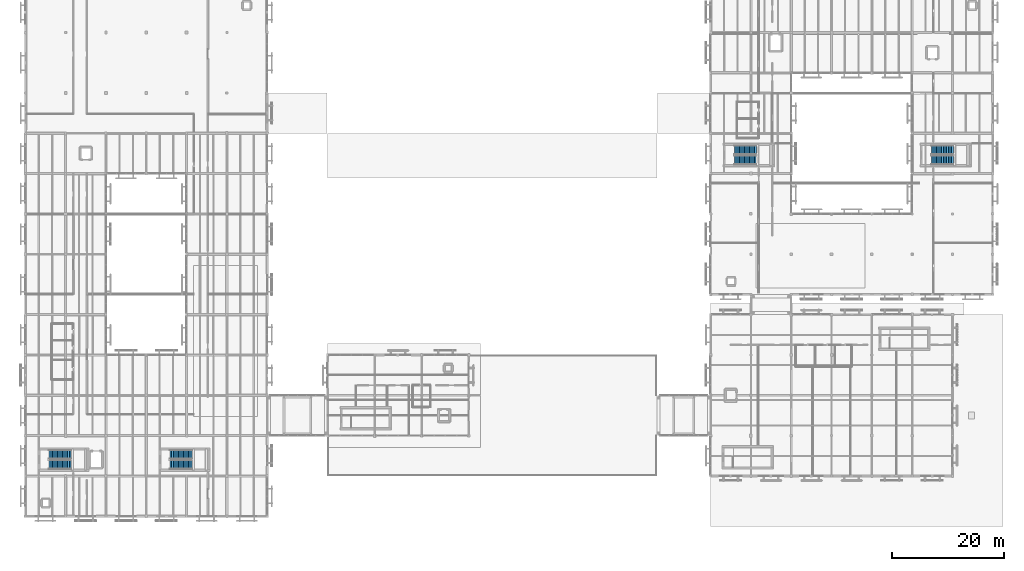
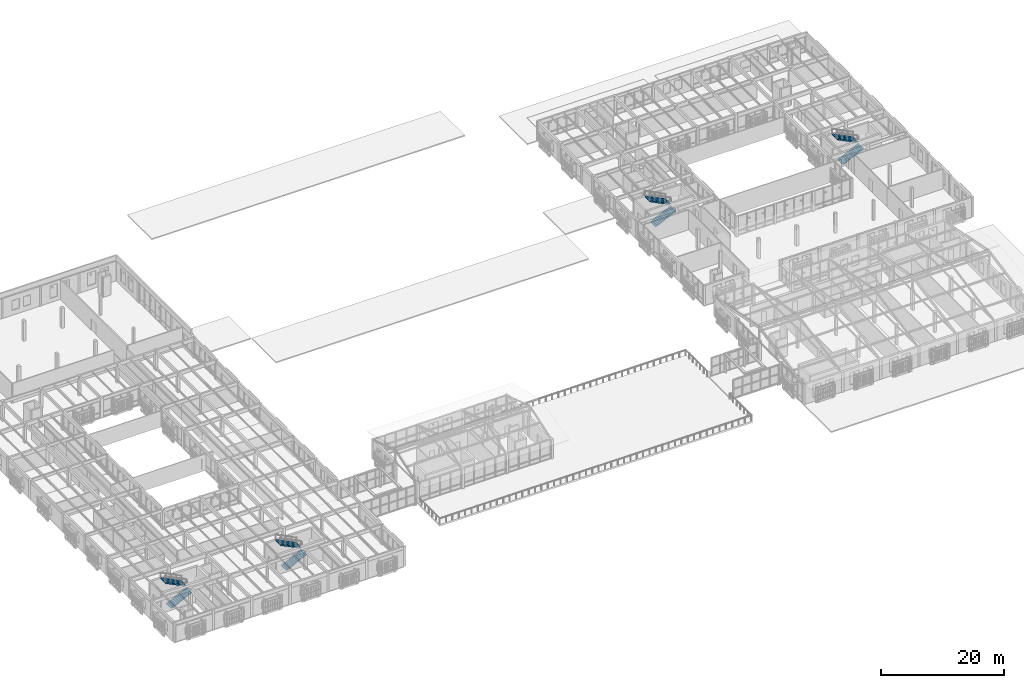
# One storey, part 91 of 112: 8 stair flights, 4 elements without a shape of their own.
"""IFC4 building model written with IfcOpenShell, lengths in metres."""

from ifc_helpers import new_model, si_unit, direction, frame, origin, place, context, subcontext, project, spatial, polyline, outline, extrude, material, type_object, element, aggregate, save


model = new_model("IFC4")

# Units and contexts
model_context = context("Model", 3, precision=1e-05, world=origin(), true_north=direction((0.0, 1.0)))
body_context = subcontext(model_context, "Body", "Model", "MODEL_VIEW")
ifc_project = project(units=[si_unit("LENGTHUNIT", "METRE"), si_unit("AREAUNIT", "SQUARE_METRE"), si_unit("VOLUMEUNIT", "CUBIC_METRE"), si_unit("PLANEANGLEUNIT", "RADIAN"), si_unit("MASSUNIT", "GRAM", prefix="KILO")], contexts=[model_context])

# Site, building, storey
site_placement = place(None, origin())
site = spatial("IfcSite", under=ifc_project, at=site_placement, CompositionType="ELEMENT")
building_placement = place(site_placement, origin())
building = spatial("IfcBuilding", under=site, at=building_placement, Name="Mazaris Harbour Polytechnic", CompositionType="ELEMENT")
storey_placement = place(building_placement, frame((0.0, 0.0, 13.800048828125)))
storey = spatial("IfcBuildingStorey", under=building, at=storey_placement, Name="L03", CompositionType="ELEMENT", Elevation=13.800048828125)

# Stair, stair flights
ifc_material_1 = material(Name="Concrete C40/50", Category="concrete")
stair_type = type_object("IfcStairType", Name="Core Exit Stair H4200", PredefinedType="HALF_TURN_STAIR", material=ifc_material_1)
stair_1_placement = place(storey_placement, origin())
stair_1 = element("IfcStair", 1, at=stair_1_placement, inside=storey, type_object=stair_type, Name="L03 ST07", PredefinedType="HALF_TURN_STAIR")
ifc_material_2 = material(Name="Concrete C40/50", Category="concrete")
stair_flight_type = type_object("IfcStairFlightType", Name="RC Stair Flight W1650", PredefinedType="STRAIGHT", material=ifc_material_2)
stair_flight_1_placement = place(storey_placement, frame((4.25, 16.425048828125, 0.0), z_axis=(0.0, 0.0, 1.0), x_axis=(1.0, 0.0, 0.0)))
stair_flight_1 = element("IfcStairFlight", 2, at=stair_flight_1_placement, type_object=stair_flight_type, Name="ST07 flight 1", NumberOfRisers=14, NumberOfTreads=13, PredefinedType="STRAIGHT", RiserHeight=0.15, TreadLength=0.3, context=body_context, shape_type="SweptSolid", body=[
    extrude(outline(polyline([(0.0, 0.0), (0.0, 0.14990234375), (0.300048828125, 0.14990234375), (0.300048828125, 0.300048828125), (0.60009765625, 0.300048828125), (0.60009765625, 0.449951171875), (0.89990234375, 0.449951171875), (0.89990234375, 0.60009765625), (1.199951171875, 0.60009765625), (1.199951171875, 0.75), (1.5, 0.75), (1.5, 0.89990234375), (1.800048828125, 0.89990234375), (1.800048828125, 1.050048828125), (2.10009765625, 1.050048828125), (2.10009765625, 1.199951171875), (2.39990234375, 1.199951171875), (2.39990234375, 1.35009765625), (2.699951171875, 1.35009765625), (2.699951171875, 1.5), (3.0, 1.5), (3.0, 1.64990234375), (3.300048828125, 1.64990234375), (3.300048828125, 1.800048828125), (3.60009765625, 1.800048828125), (3.60009765625, 1.949951171875), (3.89990234375, 1.949951171875), (3.89990234375, 2.10009765625), (3.89990234375, 1.748779296875), (0.40234375, 0.0), (0.0, 0.0)])), frame((0.0, 0.824951171875, 0.0), z_axis=(0.0, -1.0, 0.0), x_axis=(1.0, 0.0, 0.0)), (0.0, 0.0, 1.0), 1.64990234375),
])
stair_flight_2_placement = place(storey_placement, frame((8.14990234375, 18.22509765625, 2.099853515625), z_axis=(0.0, 0.0, 1.0), x_axis=(-1.0, 0.0, 0.0)))
stair_flight_2 = element("IfcStairFlight", 3, at=stair_flight_2_placement, type_object=stair_flight_type, Name="ST07 flight 2", NumberOfRisers=14, NumberOfTreads=13, PredefinedType="STRAIGHT", RiserHeight=0.15, TreadLength=0.3, context=body_context, shape_type="SweptSolid", body=[
    extrude(outline(polyline([(0.0, 0.0), (0.0, 0.14990234375), (0.300048828125, 0.14990234375), (0.300048828125, 0.300048828125), (0.60009765625, 0.300048828125), (0.60009765625, 0.449951171875), (0.89990234375, 0.449951171875), (0.89990234375, 0.60009765625), (1.199951171875, 0.60009765625), (1.199951171875, 0.75), (1.5, 0.75), (1.5, 0.89990234375), (1.800048828125, 0.89990234375), (1.800048828125, 1.050048828125), (2.10009765625, 1.050048828125), (2.10009765625, 1.199951171875), (2.39990234375, 1.199951171875), (2.39990234375, 1.35009765625), (2.699951171875, 1.35009765625), (2.699951171875, 1.5), (3.0, 1.5), (3.0, 1.64990234375), (3.300048828125, 1.64990234375), (3.300048828125, 1.800048828125), (3.60009765625, 1.800048828125), (3.60009765625, 1.949951171875), (3.89990234375, 1.949951171875), (3.89990234375, 2.10009765625), (3.89990234375, 1.748779296875), (0.40234375, 0.0), (0.0, 0.0)])), frame((0.0, 0.824951171875, 0.0), z_axis=(0.0, -1.0, 0.0), x_axis=(1.0, 0.0, 0.0)), (0.0, 0.0, 1.0), 1.64990234375),
])
aggregate(stair_1, [stair_flight_1, stair_flight_2])

stair_2_placement = place(storey_placement, origin())
stair_2 = element("IfcStair", 4, at=stair_2_placement, inside=storey, type_object=stair_type, Name="L03 ST08", PredefinedType="HALF_TURN_STAIR")
stair_flight_3_placement = place(storey_placement, frame((25.85009765625, 16.425048828125, 0.0), z_axis=(0.0, 0.0, 1.0), x_axis=(1.0, 0.0, 0.0)))
stair_flight_3 = element("IfcStairFlight", 5, at=stair_flight_3_placement, type_object=stair_flight_type, Name="ST08 flight 1", NumberOfRisers=14, NumberOfTreads=13, PredefinedType="STRAIGHT", RiserHeight=0.15, TreadLength=0.3, context=body_context, shape_type="SweptSolid", body=[
    extrude(outline(polyline([(0.0, 0.0), (0.0, 0.14990234375), (0.300048828125, 0.14990234375), (0.300048828125, 0.300048828125), (0.60009765625, 0.300048828125), (0.60009765625, 0.449951171875), (0.89990234375, 0.449951171875), (0.89990234375, 0.60009765625), (1.199951171875, 0.60009765625), (1.199951171875, 0.75), (1.5, 0.75), (1.5, 0.89990234375), (1.800048828125, 0.89990234375), (1.800048828125, 1.050048828125), (2.10009765625, 1.050048828125), (2.10009765625, 1.199951171875), (2.39990234375, 1.199951171875), (2.39990234375, 1.35009765625), (2.699951171875, 1.35009765625), (2.699951171875, 1.5), (3.0, 1.5), (3.0, 1.64990234375), (3.300048828125, 1.64990234375), (3.300048828125, 1.800048828125), (3.60009765625, 1.800048828125), (3.60009765625, 1.949951171875), (3.89990234375, 1.949951171875), (3.89990234375, 2.10009765625), (3.89990234375, 1.748779296875), (0.40234375, 0.0), (0.0, 0.0)])), frame((0.0, 0.824951171875, 0.0), z_axis=(0.0, -1.0, 0.0), x_axis=(1.0, 0.0, 0.0)), (0.0, 0.0, 1.0), 1.64990234375),
])
stair_flight_4_placement = place(storey_placement, frame((29.75, 18.22509765625, 2.099853515625), z_axis=(0.0, 0.0, 1.0), x_axis=(-1.0, 0.0, 0.0)))
stair_flight_4 = element("IfcStairFlight", 6, at=stair_flight_4_placement, type_object=stair_flight_type, Name="ST08 flight 2", NumberOfRisers=14, NumberOfTreads=13, PredefinedType="STRAIGHT", RiserHeight=0.15, TreadLength=0.3, context=body_context, shape_type="SweptSolid", body=[
    extrude(outline(polyline([(0.0, 0.0), (0.0, 0.14990234375), (0.300048828125, 0.14990234375), (0.300048828125, 0.300048828125), (0.60009765625, 0.300048828125), (0.60009765625, 0.449951171875), (0.89990234375, 0.449951171875), (0.89990234375, 0.60009765625), (1.199951171875, 0.60009765625), (1.199951171875, 0.75), (1.5, 0.75), (1.5, 0.89990234375), (1.800048828125, 0.89990234375), (1.800048828125, 1.050048828125), (2.10009765625, 1.050048828125), (2.10009765625, 1.199951171875), (2.39990234375, 1.199951171875), (2.39990234375, 1.35009765625), (2.699951171875, 1.35009765625), (2.699951171875, 1.5), (3.0, 1.5), (3.0, 1.64990234375), (3.300048828125, 1.64990234375), (3.300048828125, 1.800048828125), (3.60009765625, 1.800048828125), (3.60009765625, 1.949951171875), (3.89990234375, 1.949951171875), (3.89990234375, 2.10009765625), (3.89990234375, 1.748779296875), (0.40234375, 0.0), (0.0, 0.0)])), frame((0.0, 0.824951171875, 0.0), z_axis=(0.0, -1.0, 0.0), x_axis=(1.0, 0.0, 0.0)), (0.0, 0.0, 1.0), 1.64990234375),
])
aggregate(stair_2, [stair_flight_3, stair_flight_4])

stair_3_placement = place(storey_placement, origin())
stair_3 = element("IfcStair", 7, at=stair_3_placement, inside=storey, type_object=stair_type, Name="L03 ST09", PredefinedType="HALF_TURN_STAIR")
stair_flight_5_placement = place(storey_placement, frame((126.64990234375, 70.824951171875, 0.0), z_axis=(0.0, 0.0, 1.0), x_axis=(1.0, 0.0, 0.0)))
stair_flight_5 = element("IfcStairFlight", 8, at=stair_flight_5_placement, type_object=stair_flight_type, Name="ST09 flight 1", NumberOfRisers=14, NumberOfTreads=13, PredefinedType="STRAIGHT", RiserHeight=0.15, TreadLength=0.3, context=body_context, shape_type="SweptSolid", body=[
    extrude(outline(polyline([(0.0, 0.0), (0.0, 0.14990234375), (0.300048828125, 0.14990234375), (0.300048828125, 0.300048828125), (0.60009765625, 0.300048828125), (0.60009765625, 0.449951171875), (0.89990234375, 0.449951171875), (0.89990234375, 0.60009765625), (1.199951171875, 0.60009765625), (1.199951171875, 0.75), (1.5, 0.75), (1.5, 0.89990234375), (1.800048828125, 0.89990234375), (1.800048828125, 1.050048828125), (2.10009765625, 1.050048828125), (2.10009765625, 1.199951171875), (2.39990234375, 1.199951171875), (2.39990234375, 1.35009765625), (2.699951171875, 1.35009765625), (2.699951171875, 1.5), (3.0, 1.5), (3.0, 1.64990234375), (3.300048828125, 1.64990234375), (3.300048828125, 1.800048828125), (3.60009765625, 1.800048828125), (3.60009765625, 1.949951171875), (3.89990234375, 1.949951171875), (3.89990234375, 2.10009765625), (3.89990234375, 1.748779296875), (0.40234375, 0.0), (0.0, 0.0)])), frame((0.0, 0.824951171875, 0.0), z_axis=(0.0, -1.0, 0.0), x_axis=(1.0, 0.0, 0.0)), (0.0, 0.0, 1.0), 1.64990234375),
])
stair_flight_6_placement = place(storey_placement, frame((130.550048828125, 72.625, 2.099853515625), z_axis=(0.0, 0.0, 1.0), x_axis=(-1.0, 0.0, 0.0)))
stair_flight_6 = element("IfcStairFlight", 9, at=stair_flight_6_placement, type_object=stair_flight_type, Name="ST09 flight 2", NumberOfRisers=14, NumberOfTreads=13, PredefinedType="STRAIGHT", RiserHeight=0.15, TreadLength=0.3, context=body_context, shape_type="SweptSolid", body=[
    extrude(outline(polyline([(0.0, 0.0), (0.0, 0.14990234375), (0.300048828125, 0.14990234375), (0.300048828125, 0.300048828125), (0.60009765625, 0.300048828125), (0.60009765625, 0.449951171875), (0.89990234375, 0.449951171875), (0.89990234375, 0.60009765625), (1.199951171875, 0.60009765625), (1.199951171875, 0.75), (1.5, 0.75), (1.5, 0.89990234375), (1.800048828125, 0.89990234375), (1.800048828125, 1.050048828125), (2.10009765625, 1.050048828125), (2.10009765625, 1.199951171875), (2.39990234375, 1.199951171875), (2.39990234375, 1.35009765625), (2.699951171875, 1.35009765625), (2.699951171875, 1.5), (3.0, 1.5), (3.0, 1.64990234375), (3.300048828125, 1.64990234375), (3.300048828125, 1.800048828125), (3.60009765625, 1.800048828125), (3.60009765625, 1.949951171875), (3.89990234375, 1.949951171875), (3.89990234375, 2.10009765625), (3.89990234375, 1.748779296875), (0.40234375, 0.0), (0.0, 0.0)])), frame((0.0, 0.824951171875, 0.0), z_axis=(0.0, -1.0, 0.0), x_axis=(1.0, 0.0, 0.0)), (0.0, 0.0, 1.0), 1.64990234375),
])
aggregate(stair_3, [stair_flight_5, stair_flight_6])

stair_4_placement = place(storey_placement, origin())
stair_4 = element("IfcStair", 10, at=stair_4_placement, inside=storey, type_object=stair_type, Name="L03 ST10", PredefinedType="HALF_TURN_STAIR")
stair_flight_7_placement = place(storey_placement, frame((161.85009765625, 70.824951171875, 0.0), z_axis=(0.0, 0.0, 1.0), x_axis=(1.0, 0.0, 0.0)))
stair_flight_7 = element("IfcStairFlight", 11, at=stair_flight_7_placement, type_object=stair_flight_type, Name="ST10 flight 1", NumberOfRisers=14, NumberOfTreads=13, PredefinedType="STRAIGHT", RiserHeight=0.15, TreadLength=0.3, context=body_context, shape_type="SweptSolid", body=[
    extrude(outline(polyline([(0.0, 0.0), (0.0, 0.14990234375), (0.300048828125, 0.14990234375), (0.300048828125, 0.300048828125), (0.60009765625, 0.300048828125), (0.60009765625, 0.449951171875), (0.89990234375, 0.449951171875), (0.89990234375, 0.60009765625), (1.199951171875, 0.60009765625), (1.199951171875, 0.75), (1.5, 0.75), (1.5, 0.89990234375), (1.800048828125, 0.89990234375), (1.800048828125, 1.050048828125), (2.10009765625, 1.050048828125), (2.10009765625, 1.199951171875), (2.39990234375, 1.199951171875), (2.39990234375, 1.35009765625), (2.699951171875, 1.35009765625), (2.699951171875, 1.5), (3.0, 1.5), (3.0, 1.64990234375), (3.300048828125, 1.64990234375), (3.300048828125, 1.800048828125), (3.60009765625, 1.800048828125), (3.60009765625, 1.949951171875), (3.89990234375, 1.949951171875), (3.89990234375, 2.10009765625), (3.89990234375, 1.748779296875), (0.40234375, 0.0), (0.0, 0.0)])), frame((0.0, 0.824951171875, 0.0), z_axis=(0.0, -1.0, 0.0), x_axis=(1.0, 0.0, 0.0)), (0.0, 0.0, 1.0), 1.64990234375),
])
stair_flight_8_placement = place(storey_placement, frame((165.75, 72.625, 2.099853515625), z_axis=(0.0, 0.0, 1.0), x_axis=(-1.0, 0.0, 0.0)))
stair_flight_8 = element("IfcStairFlight", 12, at=stair_flight_8_placement, type_object=stair_flight_type, Name="ST10 flight 2", NumberOfRisers=14, NumberOfTreads=13, PredefinedType="STRAIGHT", RiserHeight=0.15, TreadLength=0.3, context=body_context, shape_type="SweptSolid", body=[
    extrude(outline(polyline([(0.0, 0.0), (0.0, 0.14990234375), (0.300048828125, 0.14990234375), (0.300048828125, 0.300048828125), (0.60009765625, 0.300048828125), (0.60009765625, 0.449951171875), (0.89990234375, 0.449951171875), (0.89990234375, 0.60009765625), (1.199951171875, 0.60009765625), (1.199951171875, 0.75), (1.5, 0.75), (1.5, 0.89990234375), (1.800048828125, 0.89990234375), (1.800048828125, 1.050048828125), (2.10009765625, 1.050048828125), (2.10009765625, 1.199951171875), (2.39990234375, 1.199951171875), (2.39990234375, 1.35009765625), (2.699951171875, 1.35009765625), (2.699951171875, 1.5), (3.0, 1.5), (3.0, 1.64990234375), (3.300048828125, 1.64990234375), (3.300048828125, 1.800048828125), (3.60009765625, 1.800048828125), (3.60009765625, 1.949951171875), (3.89990234375, 1.949951171875), (3.89990234375, 2.10009765625), (3.89990234375, 1.748779296875), (0.40234375, 0.0), (0.0, 0.0)])), frame((0.0, 0.824951171875, 0.0), z_axis=(0.0, -1.0, 0.0), x_axis=(1.0, 0.0, 0.0)), (0.0, 0.0, 1.0), 1.64990234375),
])
aggregate(stair_4, [stair_flight_7, stair_flight_8])

save(model, "model.ifc")
